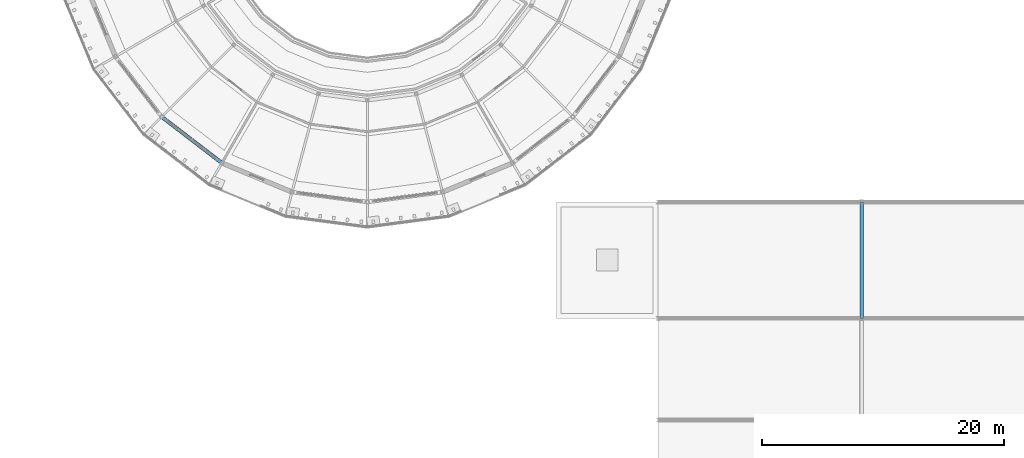
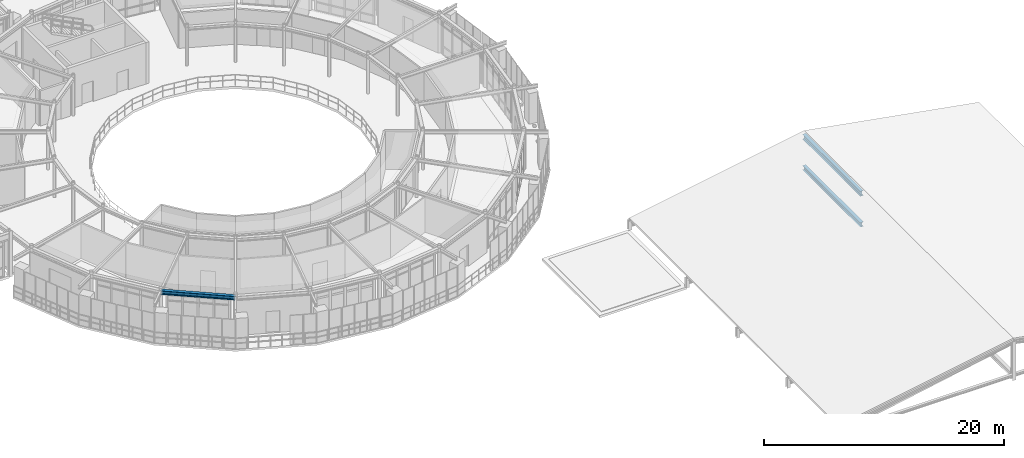
# One storey, part 32 of 90: 3 beams.
"""IFC4 building model written with IfcOpenShell, lengths in metres."""

from ifc_helpers import new_model, si_unit, derived_unit, direction, frame, origin, origin_2d, place, context, subcontext, project, spatial, i_section, extrude, material, material_profile, profile_set, type_object, element, save


model = new_model("IFC4")

# Units and contexts
model_context = context("Model", 3, precision=1e-05, world=origin(), true_north=direction((0.0, 1.0)))
body_context = subcontext(model_context, "Body", "Model", "MODEL_VIEW")
ifc_project = project(units=[si_unit("LENGTHUNIT", "METRE"), si_unit("AREAUNIT", "SQUARE_METRE"), si_unit("VOLUMEUNIT", "CUBIC_METRE"), si_unit("PLANEANGLEUNIT", "RADIAN"), si_unit("MASSUNIT", "GRAM", prefix="KILO"), derived_unit("THERMALTRANSMITTANCEUNIT", [(si_unit("POWERUNIT", "WATT"), 1), (si_unit("AREAUNIT", "SQUARE_METRE"), -1), (si_unit("THERMODYNAMICTEMPERATUREUNIT", "KELVIN"), -1)])], contexts=[model_context])

# Site, building, storey
site_placement = place(None, origin())
site = spatial("IfcSite", under=ifc_project, at=site_placement, CompositionType="ELEMENT")
building_placement = place(site_placement, origin())
building = spatial("IfcBuilding", under=site, at=building_placement, Name="Yasenodar Specialist Clinic", CompositionType="ELEMENT")
storey_placement = place(building_placement, frame((0.0, 0.0, 9.0)))
storey = spatial("IfcBuildingStorey", under=building, at=storey_placement, Name="L02", CompositionType="ELEMENT", Elevation=9.0)

# Beams
ifc_material = material(Name="Steel S355", Category="steel")
ifc_material_profile_1 = material_profile(ifc_material, i_section(OverallWidth=0.300048828125, OverallDepth=0.389892578125, WebThickness=0.010986328125, FlangeThickness=0.01904296875, FilletRadius=0.027099609375, at=origin_2d()), Name="HEA 400")
ifc_profile_set_1 = profile_set([ifc_material_profile_1], Name="Steel S355")
beam_type_1 = type_object("IfcBeamType", Name="BM-HEA400", PredefinedType="BEAM", material=ifc_profile_set_1)
beam_1_placement = place(storey_placement, frame((64.029296875, 41.829345703125, 3.7548828125), z_axis=(0.793367971845, -0.608742360322, 0.0), x_axis=(0.608742360322, 0.793367971845, 0.0)))
element("IfcBeam", 1, at=beam_1_placement, inside=storey, type_object=beam_type_1, Name="L02 Drum V1 Perimeter Ring Beam", PredefinedType="BEAM", context=body_context, shape_type="SweptSolid", body=[
    extrude(i_section(OverallWidth=0.300048828125, OverallDepth=0.389892578125, WebThickness=0.010986328125, FlangeThickness=0.01904296875, FilletRadius=0.027099609375, at=origin_2d()), origin(), (0.0, 0.0, 1.0), 6.265380859375),
])
ifc_material_profile_2 = material_profile(ifc_material, i_section(OverallWidth=0.300048828125, OverallDepth=0.449951171875, WebThickness=0.013916015625, FlangeThickness=0.02587890625, FilletRadius=0.027099609375, at=origin_2d()), Name="HEB 450")
ifc_profile_set_2 = profile_set([ifc_material_profile_2], Name="Steel S355")
beam_type_2 = type_object("IfcBeamType", Name="BM-HEB450", PredefinedType="BEAM", material=ifc_profile_set_2)
beam_2_placement = place(storey_placement, frame((121.800048828125, 25.199951171875, 0.449951171875), z_axis=(0.0, 1.0, 0.0), x_axis=(-1.0, 0.0, 0.0)))
element("IfcBeam", 2, at=beam_2_placement, inside=storey, type_object=beam_type_2, Name="V3 Conservatory Lower Tie Girder 3", PredefinedType="BEAM", context=body_context, shape_type="SweptSolid", body=[
    extrude(i_section(OverallWidth=0.300048828125, OverallDepth=0.449951171875, WebThickness=0.013916015625, FlangeThickness=0.02587890625, FilletRadius=0.027099609375, at=origin_2d()), origin(), (0.0, 0.0, 1.0), 9.60009765625),
])
ifc_material_profile_3 = material_profile(ifc_material, i_section(OverallWidth=0.300048828125, OverallDepth=0.5, WebThickness=0.014404296875, FlangeThickness=0.028076171875, FilletRadius=0.027099609375, at=origin_2d()), Name="HEB 500")
ifc_profile_set_3 = profile_set([ifc_material_profile_3], Name="Steel S355")
beam_type_3 = type_object("IfcBeamType", Name="BM-HEB500", PredefinedType="BEAM", material=ifc_profile_set_3)
beam_3_placement = place(storey_placement, frame((121.800048828125, 25.199951171875, 3.60009765625), z_axis=(0.0, 1.0, 0.0), x_axis=(-1.0, 0.0, 0.0)))
element("IfcBeam", 3, at=beam_3_placement, inside=storey, type_object=beam_type_3, Name="V3 Conservatory Ridge Transfer Girder 3", PredefinedType="BEAM", context=body_context, shape_type="SweptSolid", body=[
    extrude(i_section(OverallWidth=0.300048828125, OverallDepth=0.5, WebThickness=0.014404296875, FlangeThickness=0.028076171875, FilletRadius=0.027099609375, at=origin_2d()), origin(), (0.0, 0.0, 1.0), 9.60009765625),
])

save(model, "model.ifc")
